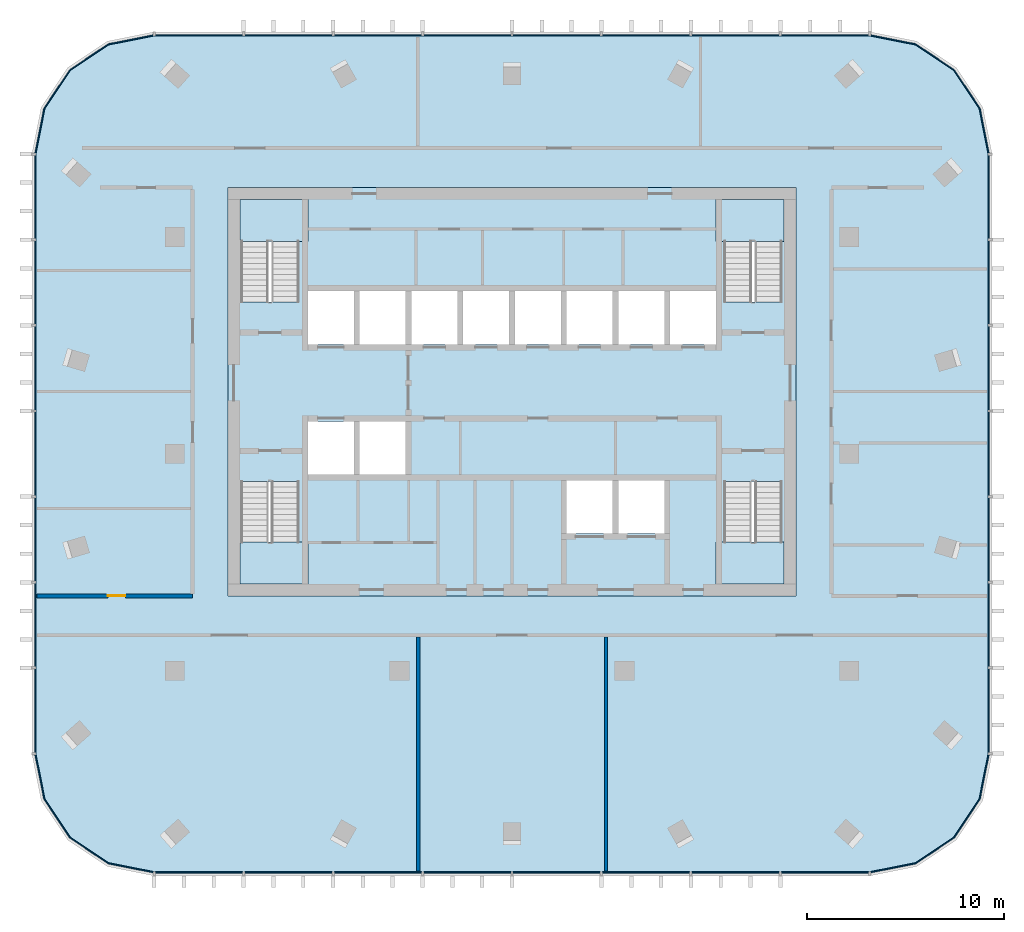
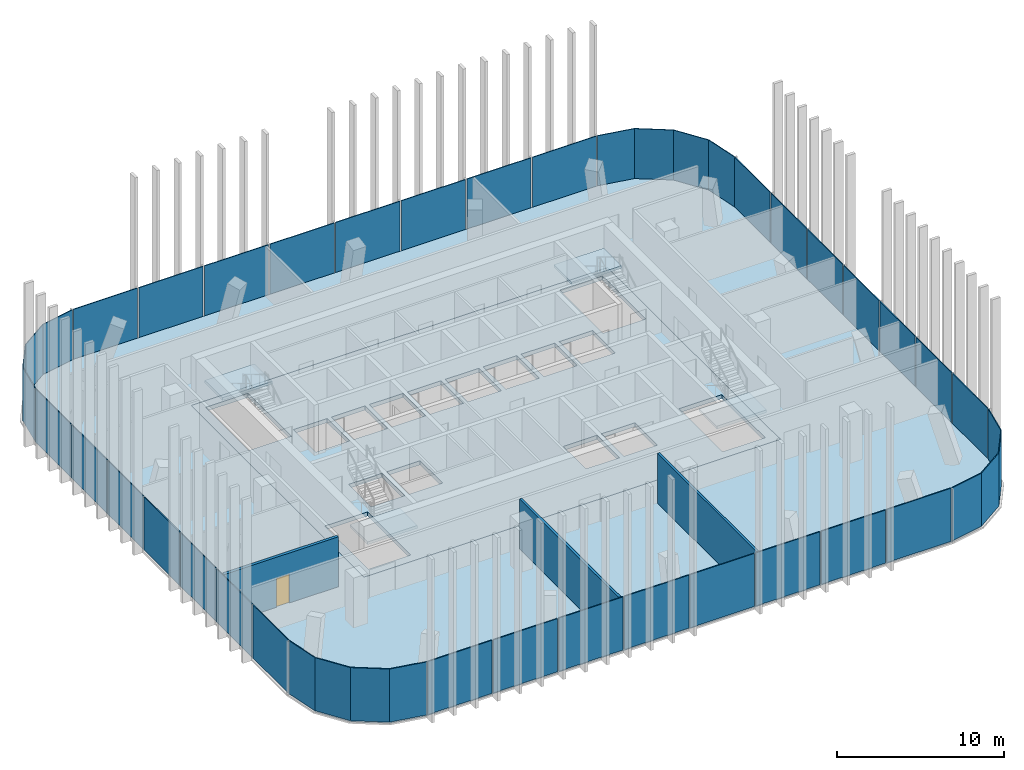
# One storey, part 5 of 13: 34 plates, 6 slabs, 3 walls, 1 door, 1 opening, 12 elements without a shape of their own.
"""IFC4 building model written with IfcOpenShell, lengths in metres."""

from ifc_helpers import new_model, si_unit, direction, frame, frame_2d, origin, origin_2d, place, context, subcontext, project, spatial, polyline, rectangle, outline, extrude, material, layer, layer_set, type_object, element, fill, aggregate, save


model = new_model("IFC4")

# Units and contexts
model_context = context("Model", 3, precision=1e-05, world=origin(), true_north=direction((0.0, 1.0)))
body_context = subcontext(model_context, "Body", "Model", "MODEL_VIEW")
ifc_project = project(units=[si_unit("LENGTHUNIT", "METRE"), si_unit("AREAUNIT", "SQUARE_METRE"), si_unit("VOLUMEUNIT", "CUBIC_METRE"), si_unit("PLANEANGLEUNIT", "RADIAN"), si_unit("MASSUNIT", "GRAM", prefix="KILO")], contexts=[model_context])

# Site, building, storey
site_placement = place(None, origin())
site = spatial("IfcSite", under=ifc_project, at=site_placement, CompositionType="ELEMENT")
building_placement = place(site_placement, origin())
building = spatial("IfcBuilding", under=site, at=building_placement, Name="Mopane Tessera Tower", CompositionType="ELEMENT")
storey_placement = place(building_placement, frame((0.0, 0.0, 345.39990234375)))
storey = spatial("IfcBuildingStorey", under=building, at=storey_placement, Name="L75", CompositionType="ELEMENT", Elevation=345.39990234375)

# Slab
ifc_material_1 = material(Name="Concrete C40/50", Category="concrete")
ifc_layer_1 = layer(ifc_material_1, 0.300048828125)
ifc_layer_set_1 = layer_set([ifc_layer_1], Name="Concrete C40/50")
slab_type_1 = type_object("IfcSlabType", Name="Core floor slab 300 mm", PredefinedType="FLOOR", material=ifc_layer_set_1)
slab_1_placement = place(storey_placement, frame((0.0, 0.0, -0.2998046875)))
element("IfcSlab", 1, at=slab_1_placement, inside=storey, type_object=slab_type_1, Name="L75 core floor slab", PredefinedType="FLOOR", context=body_context, shape_type="SweptSolid", body=[
    extrude(outline(polyline([(-14.39990234375, -7.199951171875), (14.39990234375, -7.199951171875), (14.39990234375, 13.5), (-14.39990234375, 13.5), (-14.39990234375, -7.199951171875)]), holes=[polyline([(-10.35009765625, -1.050048828125), (-8.02490234375, -1.050048828125), (-8.02490234375, 1.64990234375), (-10.35009765625, 1.64990234375), (-10.35009765625, -1.050048828125)]), polyline([(-7.72509765625, -1.050048828125), (-5.39990234375, -1.050048828125), (-5.39990234375, 1.64990234375), (-7.72509765625, 1.64990234375), (-7.72509765625, -1.050048828125)]), polyline([(-10.35009765625, 5.550048828125), (-8.02490234375, 5.550048828125), (-8.02490234375, 8.25), (-10.35009765625, 8.25), (-10.35009765625, 5.550048828125)]), polyline([(-7.72509765625, 5.550048828125), (-5.39990234375, 5.550048828125), (-5.39990234375, 8.25), (-7.72509765625, 8.25), (-7.72509765625, 5.550048828125)]), polyline([(-5.10009765625, 5.550048828125), (-2.77490234375, 5.550048828125), (-2.77490234375, 8.25), (-5.10009765625, 8.25), (-5.10009765625, 5.550048828125)]), polyline([(-2.47509765625, 5.550048828125), (-0.14990234375, 5.550048828125), (-0.14990234375, 8.25), (-2.47509765625, 8.25), (-2.47509765625, 5.550048828125)]), polyline([(0.14990234375, 5.550048828125), (2.47509765625, 5.550048828125), (2.47509765625, 8.25), (0.14990234375, 8.25), (0.14990234375, 5.550048828125)]), polyline([(2.77490234375, 5.550048828125), (5.10009765625, 5.550048828125), (5.10009765625, 8.25), (2.77490234375, 8.25), (2.77490234375, 5.550048828125)]), polyline([(5.39990234375, 5.550048828125), (7.72509765625, 5.550048828125), (7.72509765625, 8.25), (5.39990234375, 8.25), (5.39990234375, 5.550048828125)]), polyline([(8.02490234375, 5.550048828125), (10.35009765625, 5.550048828125), (10.35009765625, 8.25), (8.02490234375, 8.25), (8.02490234375, 5.550048828125)]), polyline([(2.77490234375, -4.050048828125), (5.10009765625, -4.050048828125), (5.10009765625, -1.35009765625), (2.77490234375, -1.35009765625), (2.77490234375, -4.050048828125)]), polyline([(5.39990234375, -4.050048828125), (7.72509765625, -4.050048828125), (7.72509765625, -1.35009765625), (5.39990234375, -1.35009765625), (5.39990234375, -4.050048828125)]), polyline([(-13.75, -1.405029296875), (-13.75, -6.60009765625), (-10.800048828125, -6.60009765625), (-10.800048828125, -1.405029296875), (-13.75, -1.405029296875)]), polyline([(-10.800048828125, 7.705078125), (-10.800048828125, 12.89990234375), (-13.75, 12.89990234375), (-13.75, 7.705078125), (-10.800048828125, 7.705078125)]), polyline([(10.75, -1.405029296875), (10.75, -6.60009765625), (13.699951171875, -6.60009765625), (13.699951171875, -1.405029296875), (10.75, -1.405029296875)]), polyline([(13.699951171875, 7.705078125), (13.699951171875, 12.89990234375), (10.75, 12.89990234375), (10.75, 7.705078125), (13.699951171875, 7.705078125)])]), origin(), (0.0, 0.0, 1.0), 0.2998046875),
])

# Stair, slab
ifc_material_2 = material(Name="Concrete C50/60", Category="concrete")
stair_type = type_object("IfcStairType", Name="Escape stair 1400 mm, riser 167 mm", PredefinedType="HALF_TURN_STAIR", material=ifc_material_2)
stair_1_placement = place(storey_placement, origin())
stair_1 = element("IfcStair", 2, at=stair_1_placement, inside=storey, type_object=stair_type, Name="L75 Escape stair south-west", PredefinedType="HALF_TURN_STAIR")
ifc_material_3 = material(Name="Concrete C50/60", Category="concrete")
ifc_layer_2 = layer(ifc_material_3, 0.199951171875)
ifc_layer_set_2 = layer_set([ifc_layer_2], Name="Concrete C50/60")
slab_type_2 = type_object("IfcSlabType", Name="Escape stair landing 200 mm", PredefinedType="LANDING", material=ifc_layer_set_2)
slab_2_placement = place(storey_placement, frame((0.0, 0.0, 1.800048828125)))
slab_2 = element("IfcSlab", 3, at=slab_2_placement, type_object=slab_type_2, Name="ST1 landing 1", PredefinedType="LANDING", context=body_context, shape_type="SweptSolid", body=[
    extrude(outline(polyline([(-13.800048828125, -4.47998046875), (-13.800048828125, -6.60009765625), (-10.35009765625, -6.60009765625), (-10.35009765625, -4.47998046875), (-13.800048828125, -4.47998046875)])), origin(), (0.0, 0.0, 1.0), 0.199951171875),
])
aggregate(stair_1, [slab_2])

stair_2_placement = place(storey_placement, origin())
stair_2 = element("IfcStair", 4, at=stair_2_placement, inside=storey, type_object=stair_type, Name="L75 Escape stair north-west", PredefinedType="HALF_TURN_STAIR")
slab_3_placement = place(storey_placement, frame((0.0, 0.0, 1.800048828125)))
slab_3 = element("IfcSlab", 5, at=slab_3_placement, type_object=slab_type_2, Name="ST2 landing 1", PredefinedType="LANDING", context=body_context, shape_type="SweptSolid", body=[
    extrude(outline(polyline([(-10.35009765625, 10.780029296875), (-10.35009765625, 12.89990234375), (-13.800048828125, 12.89990234375), (-13.800048828125, 10.780029296875), (-10.35009765625, 10.780029296875)])), origin(), (0.0, 0.0, 1.0), 0.199951171875),
])
aggregate(stair_2, [slab_3])

stair_3_placement = place(storey_placement, origin())
stair_3 = element("IfcStair", 6, at=stair_3_placement, inside=storey, type_object=stair_type, Name="L75 Escape stair south-east", PredefinedType="HALF_TURN_STAIR")
slab_4_placement = place(storey_placement, frame((0.0, 0.0, 1.800048828125)))
slab_4 = element("IfcSlab", 7, at=slab_4_placement, type_object=slab_type_2, Name="ST3 landing 1", PredefinedType="LANDING", context=body_context, shape_type="SweptSolid", body=[
    extrude(outline(polyline([(10.35009765625, -4.47998046875), (10.35009765625, -6.60009765625), (13.800048828125, -6.60009765625), (13.800048828125, -4.47998046875), (10.35009765625, -4.47998046875)])), origin(), (0.0, 0.0, 1.0), 0.199951171875),
])
aggregate(stair_3, [slab_4])

stair_4_placement = place(storey_placement, origin())
stair_4 = element("IfcStair", 8, at=stair_4_placement, inside=storey, type_object=stair_type, Name="L75 Escape stair north-east", PredefinedType="HALF_TURN_STAIR")
slab_5_placement = place(storey_placement, frame((0.0, 0.0, 1.800048828125)))
slab_5 = element("IfcSlab", 9, at=slab_5_placement, type_object=slab_type_2, Name="ST4 landing 1", PredefinedType="LANDING", context=body_context, shape_type="SweptSolid", body=[
    extrude(outline(polyline([(13.800048828125, 10.780029296875), (13.800048828125, 12.89990234375), (10.35009765625, 12.89990234375), (10.35009765625, 10.780029296875), (13.800048828125, 10.780029296875)])), origin(), (0.0, 0.0, 1.0), 0.199951171875),
])
aggregate(stair_4, [slab_5])

# Slab
ifc_material_4 = material(Name="Concrete C40/50", Category="concrete")
ifc_layer_3 = layer(ifc_material_4, 0.35009765625)
ifc_layer_set_3 = layer_set([ifc_layer_3], Name="Concrete C40/50")
slab_type_3 = type_object("IfcSlabType", Name="Post-tensioned flat plate 350 mm", PredefinedType="FLOOR", material=ifc_layer_set_3)
slab_6_placement = place(storey_placement, frame((0.0, 0.0, -0.349853515625)))
element("IfcSlab", 10, at=slab_6_placement, inside=storey, type_object=slab_type_3, Name="Floor slab L75", PredefinedType="FLOOR", context=body_context, shape_type="SweptSolid", body=[
    extrude(outline(polyline([(-18.14990234375, -21.199951171875), (18.14990234375, -21.199951171875), (20.446044921875, -20.7431640625), (22.392578125, -19.442626953125), (23.693359375, -17.49609375), (24.14990234375, -15.199951171875), (24.14990234375, 15.199951171875), (23.693359375, 17.49609375), (22.392578125, 19.442626953125), (20.446044921875, 20.7431640625), (18.14990234375, 21.199951171875), (-18.14990234375, 21.199951171875), (-20.446044921875, 20.7431640625), (-22.392578125, 19.442626953125), (-23.693359375, 17.49609375), (-24.14990234375, 15.199951171875), (-24.14990234375, -15.199951171875), (-23.693359375, -17.49609375), (-22.392578125, -19.442626953125), (-20.446044921875, -20.7431640625), (-18.14990234375, -21.199951171875)]), holes=[polyline([(14.39990234375, -7.199951171875), (-14.39990234375, -7.199951171875), (-14.39990234375, 13.5), (14.39990234375, 13.5), (14.39990234375, -7.199951171875)])]), origin(), (0.0, 0.0, 1.0), 0.349853515625),
])

# Curtain wall, plates
ifc_material_5 = material(Name="Aluminium frame", Category="aluminium")
curtain_wall_type = type_object("IfcCurtainWallType", Name="Unitised curtain wall", PredefinedType="NOTDEFINED", material=ifc_material_5)
curtain_wall_1_placement = place(storey_placement, origin())
curtain_wall_1 = element("IfcCurtainWall", 11, at=curtain_wall_1_placement, inside=storey, type_object=curtain_wall_type, Name="e:cw:L75:S:0", PredefinedType="NOTDEFINED")
ifc_material_6 = material(Name="Clear laminated glass", Category="glass")
ifc_layer_4 = layer(ifc_material_6, 0.06005859375)
ifc_layer_set_4 = layer_set([ifc_layer_4], Name="Clear laminated glass")
plate_type = type_object("IfcPlateType", Name="Unitised glazed unit", PredefinedType="CURTAIN_PANEL", material=ifc_layer_set_4)
plate_1_placement = place(storey_placement, frame((-15.88134765625, -21.22998046875, -0.229736328125), z_axis=(0.0, 0.0, 1.0), x_axis=(1.0, 0.0, 0.0)))
plate_1 = element("IfcPlate", 12, at=plate_1_placement, type_object=plate_type, Name="e:cw:L75:S:0:pn0", PredefinedType="CURTAIN_PANEL", context=body_context, shape_type="SweptSolid", body=[
    extrude(rectangle(XDim=4.4375, YDim=0.06005859375, at=origin_2d()), origin(), (0.0, 0.0, 1.0), 3.8798828125),
])
plate_2_placement = place(storey_placement, frame((-11.34375, -21.22998046875, -0.229736328125), z_axis=(0.0, 0.0, 1.0), x_axis=(1.0, 0.0, 0.0)))
plate_2 = element("IfcPlate", 13, at=plate_2_placement, type_object=plate_type, Name="e:cw:L75:S:0:pn1", PredefinedType="CURTAIN_PANEL", context=body_context, shape_type="SweptSolid", body=[
    extrude(rectangle(XDim=4.4375, YDim=0.06005859375, at=origin_2d()), origin(), (0.0, 0.0, 1.0), 3.8798828125),
])
plate_3_placement = place(storey_placement, frame((-6.80615234375, -21.22998046875, -0.229736328125), z_axis=(0.0, 0.0, 1.0), x_axis=(1.0, 0.0, 0.0)))
plate_3 = element("IfcPlate", 14, at=plate_3_placement, type_object=plate_type, Name="e:cw:L75:S:0:pn2", PredefinedType="CURTAIN_PANEL", context=body_context, shape_type="SweptSolid", body=[
    extrude(rectangle(XDim=4.4375, YDim=0.06005859375, at=origin_2d()), origin(), (0.0, 0.0, 1.0), 3.8798828125),
])
plate_4_placement = place(storey_placement, frame((-2.268798828125, -21.22998046875, -0.229736328125), z_axis=(0.0, 0.0, 1.0), x_axis=(1.0, 0.0, 0.0)))
plate_4 = element("IfcPlate", 15, at=plate_4_placement, type_object=plate_type, Name="e:cw:L75:S:0:pn3", PredefinedType="CURTAIN_PANEL", context=body_context, shape_type="SweptSolid", body=[
    extrude(rectangle(XDim=4.4375, YDim=0.06005859375, at=origin_2d()), origin(), (0.0, 0.0, 1.0), 3.8798828125),
])
plate_5_placement = place(storey_placement, frame((2.268798828125, -21.22998046875, -0.229736328125), z_axis=(0.0, 0.0, 1.0), x_axis=(1.0, 0.0, 0.0)))
plate_5 = element("IfcPlate", 16, at=plate_5_placement, type_object=plate_type, Name="e:cw:L75:S:0:pn4", PredefinedType="CURTAIN_PANEL", context=body_context, shape_type="SweptSolid", body=[
    extrude(rectangle(XDim=4.4375, YDim=0.06005859375, at=origin_2d()), origin(), (0.0, 0.0, 1.0), 3.8798828125),
])
plate_6_placement = place(storey_placement, frame((6.80615234375, -21.22998046875, -0.229736328125), z_axis=(0.0, 0.0, 1.0), x_axis=(1.0, 0.0, 0.0)))
plate_6 = element("IfcPlate", 17, at=plate_6_placement, type_object=plate_type, Name="e:cw:L75:S:0:pn5", PredefinedType="CURTAIN_PANEL", context=body_context, shape_type="SweptSolid", body=[
    extrude(rectangle(XDim=4.4375, YDim=0.06005859375, at=origin_2d()), origin(), (0.0, 0.0, 1.0), 3.8798828125),
])
plate_7_placement = place(storey_placement, frame((11.34375, -21.22998046875, -0.229736328125), z_axis=(0.0, 0.0, 1.0), x_axis=(1.0, 0.0, 0.0)))
plate_7 = element("IfcPlate", 18, at=plate_7_placement, type_object=plate_type, Name="e:cw:L75:S:0:pn6", PredefinedType="CURTAIN_PANEL", context=body_context, shape_type="SweptSolid", body=[
    extrude(rectangle(XDim=4.4375, YDim=0.06005859375, at=origin_2d()), origin(), (0.0, 0.0, 1.0), 3.8798828125),
])
plate_8_placement = place(storey_placement, frame((15.88134765625, -21.22998046875, -0.229736328125), z_axis=(0.0, 0.0, 1.0), x_axis=(1.0, 0.0, 0.0)))
plate_8 = element("IfcPlate", 19, at=plate_8_placement, type_object=plate_type, Name="e:cw:L75:S:0:pn7", PredefinedType="CURTAIN_PANEL", context=body_context, shape_type="SweptSolid", body=[
    extrude(rectangle(XDim=4.4375, YDim=0.06005859375, at=origin_2d()), origin(), (0.0, 0.0, 1.0), 3.8798828125),
])
aggregate(curtain_wall_1, [plate_1, plate_2, plate_3, plate_4, plate_5, plate_6, plate_7, plate_8])

# Curtain wall, plate
curtain_wall_2_placement = place(storey_placement, origin())
curtain_wall_2 = element("IfcCurtainWall", 20, at=curtain_wall_2_placement, inside=storey, type_object=curtain_wall_type, Name="e:cw:L75:CS", PredefinedType="NOTDEFINED")
plate_9_placement = place(storey_placement, frame((0.0, 0.0, -0.22998046875)))
plate_9 = element("IfcPlate", 21, at=plate_9_placement, type_object=plate_type, Name="e:cw:L75:CS:pn", PredefinedType="CURTAIN_PANEL", context=body_context, shape_type="SweptSolid", body=[
    extrude(outline(polyline([(18.14990234375, -21.199951171875), (20.446044921875, -20.7431640625), (22.392578125, -19.442626953125), (23.693359375, -17.49609375), (24.14990234375, -15.199951171875), (24.2099609375, -15.199951171875), (23.748779296875, -17.51904296875), (22.43505859375, -19.485107421875), (20.468994140625, -20.798828125), (18.14990234375, -21.260009765625), (18.14990234375, -21.199951171875)])), origin(), (0.0, 0.0, 1.0), 3.880126953125),
])
aggregate(curtain_wall_2, [plate_9])

# Curtain wall, plates
curtain_wall_3_placement = place(storey_placement, origin())
curtain_wall_3 = element("IfcCurtainWall", 22, at=curtain_wall_3_placement, inside=storey, type_object=curtain_wall_type, Name="e:cw:L75:E:0", PredefinedType="NOTDEFINED")
plate_10_placement = place(storey_placement, frame((24.179931640625, -13.028564453125, -0.229736328125), z_axis=(0.0, 0.0, 1.0), x_axis=(0.0, 1.0, 0.0)))
plate_10 = element("IfcPlate", 23, at=plate_10_placement, type_object=plate_type, Name="e:cw:L75:E:0:pn0", PredefinedType="CURTAIN_PANEL", context=body_context, shape_type="SweptSolid", body=[
    extrude(rectangle(XDim=4.242919921875, YDim=0.06005859375, at=origin_2d()), origin(), (0.0, 0.0, 1.0), 3.8798828125),
])
plate_11_placement = place(storey_placement, frame((24.179931640625, -8.685791015625, -0.229736328125), z_axis=(0.0, 0.0, 1.0), x_axis=(0.0, 1.0, 0.0)))
plate_11 = element("IfcPlate", 24, at=plate_11_placement, type_object=plate_type, Name="e:cw:L75:E:0:pn1", PredefinedType="CURTAIN_PANEL", context=body_context, shape_type="SweptSolid", body=[
    extrude(rectangle(XDim=4.242919921875, YDim=0.06005859375, at=origin_2d()), origin(), (0.0, 0.0, 1.0), 3.8798828125),
])
plate_12_placement = place(storey_placement, frame((24.179931640625, -4.3427734375, -0.229736328125), z_axis=(0.0, 0.0, 1.0), x_axis=(0.0, 1.0, 0.0)))
plate_12 = element("IfcPlate", 25, at=plate_12_placement, type_object=plate_type, Name="e:cw:L75:E:0:pn2", PredefinedType="CURTAIN_PANEL", context=body_context, shape_type="SweptSolid", body=[
    extrude(rectangle(XDim=4.242919921875, YDim=0.06005859375, at=origin_2d()), origin(), (0.0, 0.0, 1.0), 3.8798828125),
])
plate_13_placement = place(storey_placement, frame((24.179931640625, 0.0, -0.229736328125), z_axis=(0.0, 0.0, 1.0), x_axis=(0.0, 1.0, 0.0)))
plate_13 = element("IfcPlate", 26, at=plate_13_placement, type_object=plate_type, Name="e:cw:L75:E:0:pn3", PredefinedType="CURTAIN_PANEL", context=body_context, shape_type="SweptSolid", body=[
    extrude(rectangle(XDim=4.242919921875, YDim=0.06005859375, at=origin_2d()), origin(), (0.0, 0.0, 1.0), 3.8798828125),
])
plate_14_placement = place(storey_placement, frame((24.179931640625, 4.3427734375, -0.229736328125), z_axis=(0.0, 0.0, 1.0), x_axis=(0.0, 1.0, 0.0)))
plate_14 = element("IfcPlate", 27, at=plate_14_placement, type_object=plate_type, Name="e:cw:L75:E:0:pn4", PredefinedType="CURTAIN_PANEL", context=body_context, shape_type="SweptSolid", body=[
    extrude(rectangle(XDim=4.242919921875, YDim=0.06005859375, at=origin_2d()), origin(), (0.0, 0.0, 1.0), 3.8798828125),
])
plate_15_placement = place(storey_placement, frame((24.179931640625, 8.685791015625, -0.229736328125), z_axis=(0.0, 0.0, 1.0), x_axis=(0.0, 1.0, 0.0)))
plate_15 = element("IfcPlate", 28, at=plate_15_placement, type_object=plate_type, Name="e:cw:L75:E:0:pn5", PredefinedType="CURTAIN_PANEL", context=body_context, shape_type="SweptSolid", body=[
    extrude(rectangle(XDim=4.242919921875, YDim=0.06005859375, at=origin_2d()), origin(), (0.0, 0.0, 1.0), 3.8798828125),
])
plate_16_placement = place(storey_placement, frame((24.179931640625, 13.028564453125, -0.229736328125), z_axis=(0.0, 0.0, 1.0), x_axis=(0.0, 1.0, 0.0)))
plate_16 = element("IfcPlate", 29, at=plate_16_placement, type_object=plate_type, Name="e:cw:L75:E:0:pn6", PredefinedType="CURTAIN_PANEL", context=body_context, shape_type="SweptSolid", body=[
    extrude(rectangle(XDim=4.242919921875, YDim=0.06005859375, at=origin_2d()), origin(), (0.0, 0.0, 1.0), 3.8798828125),
])
aggregate(curtain_wall_3, [plate_10, plate_11, plate_12, plate_13, plate_14, plate_15, plate_16])

# Curtain wall, plate
curtain_wall_4_placement = place(storey_placement, origin())
curtain_wall_4 = element("IfcCurtainWall", 30, at=curtain_wall_4_placement, inside=storey, type_object=curtain_wall_type, Name="e:cw:L75:CE", PredefinedType="NOTDEFINED")
plate_17_placement = place(storey_placement, frame((0.0, 0.0, -0.22998046875)))
plate_17 = element("IfcPlate", 31, at=plate_17_placement, type_object=plate_type, Name="e:cw:L75:CE:pn", PredefinedType="CURTAIN_PANEL", context=body_context, shape_type="SweptSolid", body=[
    extrude(outline(polyline([(24.14990234375, 15.199951171875), (23.693359375, 17.49609375), (22.392578125, 19.442626953125), (20.446044921875, 20.7431640625), (18.14990234375, 21.199951171875), (18.14990234375, 21.260009765625), (20.468994140625, 20.798828125), (22.43505859375, 19.485107421875), (23.748779296875, 17.51904296875), (24.2099609375, 15.199951171875), (24.14990234375, 15.199951171875)])), origin(), (0.0, 0.0, 1.0), 3.880126953125),
])
aggregate(curtain_wall_4, [plate_17])

# Curtain wall, plates
curtain_wall_5_placement = place(storey_placement, origin())
curtain_wall_5 = element("IfcCurtainWall", 32, at=curtain_wall_5_placement, inside=storey, type_object=curtain_wall_type, Name="e:cw:L75:N:0", PredefinedType="NOTDEFINED")
plate_18_placement = place(storey_placement, frame((15.88134765625, 21.22998046875, -0.229736328125), z_axis=(0.0, 0.0, 1.0), x_axis=(-1.0, 0.0, 0.0)))
plate_18 = element("IfcPlate", 33, at=plate_18_placement, type_object=plate_type, Name="e:cw:L75:N:0:pn0", PredefinedType="CURTAIN_PANEL", context=body_context, shape_type="SweptSolid", body=[
    extrude(rectangle(XDim=4.4375, YDim=0.06005859375, at=origin_2d()), origin(), (0.0, 0.0, 1.0), 3.8798828125),
])
plate_19_placement = place(storey_placement, frame((11.34375, 21.22998046875, -0.229736328125), z_axis=(0.0, 0.0, 1.0), x_axis=(-1.0, 0.0, 0.0)))
plate_19 = element("IfcPlate", 34, at=plate_19_placement, type_object=plate_type, Name="e:cw:L75:N:0:pn1", PredefinedType="CURTAIN_PANEL", context=body_context, shape_type="SweptSolid", body=[
    extrude(rectangle(XDim=4.4375, YDim=0.06005859375, at=origin_2d()), origin(), (0.0, 0.0, 1.0), 3.8798828125),
])
plate_20_placement = place(storey_placement, frame((6.80615234375, 21.22998046875, -0.229736328125), z_axis=(0.0, 0.0, 1.0), x_axis=(-1.0, 0.0, 0.0)))
plate_20 = element("IfcPlate", 35, at=plate_20_placement, type_object=plate_type, Name="e:cw:L75:N:0:pn2", PredefinedType="CURTAIN_PANEL", context=body_context, shape_type="SweptSolid", body=[
    extrude(rectangle(XDim=4.4375, YDim=0.06005859375, at=origin_2d()), origin(), (0.0, 0.0, 1.0), 3.8798828125),
])
plate_21_placement = place(storey_placement, frame((2.268798828125, 21.22998046875, -0.229736328125), z_axis=(0.0, 0.0, 1.0), x_axis=(-1.0, 0.0, 0.0)))
plate_21 = element("IfcPlate", 36, at=plate_21_placement, type_object=plate_type, Name="e:cw:L75:N:0:pn3", PredefinedType="CURTAIN_PANEL", context=body_context, shape_type="SweptSolid", body=[
    extrude(rectangle(XDim=4.4375, YDim=0.06005859375, at=origin_2d()), origin(), (0.0, 0.0, 1.0), 3.8798828125),
])
plate_22_placement = place(storey_placement, frame((-2.268798828125, 21.22998046875, -0.229736328125), z_axis=(0.0, 0.0, 1.0), x_axis=(-1.0, 0.0, 0.0)))
plate_22 = element("IfcPlate", 37, at=plate_22_placement, type_object=plate_type, Name="e:cw:L75:N:0:pn4", PredefinedType="CURTAIN_PANEL", context=body_context, shape_type="SweptSolid", body=[
    extrude(rectangle(XDim=4.4375, YDim=0.06005859375, at=origin_2d()), origin(), (0.0, 0.0, 1.0), 3.8798828125),
])
plate_23_placement = place(storey_placement, frame((-6.80615234375, 21.22998046875, -0.229736328125), z_axis=(0.0, 0.0, 1.0), x_axis=(-1.0, 0.0, 0.0)))
plate_23 = element("IfcPlate", 38, at=plate_23_placement, type_object=plate_type, Name="e:cw:L75:N:0:pn5", PredefinedType="CURTAIN_PANEL", context=body_context, shape_type="SweptSolid", body=[
    extrude(rectangle(XDim=4.4375, YDim=0.06005859375, at=origin_2d()), origin(), (0.0, 0.0, 1.0), 3.8798828125),
])
plate_24_placement = place(storey_placement, frame((-11.34375, 21.22998046875, -0.229736328125), z_axis=(0.0, 0.0, 1.0), x_axis=(-1.0, 0.0, 0.0)))
plate_24 = element("IfcPlate", 39, at=plate_24_placement, type_object=plate_type, Name="e:cw:L75:N:0:pn6", PredefinedType="CURTAIN_PANEL", context=body_context, shape_type="SweptSolid", body=[
    extrude(rectangle(XDim=4.4375, YDim=0.06005859375, at=origin_2d()), origin(), (0.0, 0.0, 1.0), 3.8798828125),
])
plate_25_placement = place(storey_placement, frame((-15.88134765625, 21.22998046875, -0.229736328125), z_axis=(0.0, 0.0, 1.0), x_axis=(-1.0, 0.0, 0.0)))
plate_25 = element("IfcPlate", 40, at=plate_25_placement, type_object=plate_type, Name="e:cw:L75:N:0:pn7", PredefinedType="CURTAIN_PANEL", context=body_context, shape_type="SweptSolid", body=[
    extrude(rectangle(XDim=4.4375, YDim=0.06005859375, at=origin_2d()), origin(), (0.0, 0.0, 1.0), 3.8798828125),
])
aggregate(curtain_wall_5, [plate_18, plate_19, plate_20, plate_21, plate_22, plate_23, plate_24, plate_25])

# Curtain wall, plate
curtain_wall_6_placement = place(storey_placement, origin())
curtain_wall_6 = element("IfcCurtainWall", 41, at=curtain_wall_6_placement, inside=storey, type_object=curtain_wall_type, Name="e:cw:L75:CN", PredefinedType="NOTDEFINED")
plate_26_placement = place(storey_placement, frame((0.0, 0.0, -0.22998046875)))
plate_26 = element("IfcPlate", 42, at=plate_26_placement, type_object=plate_type, Name="e:cw:L75:CN:pn", PredefinedType="CURTAIN_PANEL", context=body_context, shape_type="SweptSolid", body=[
    extrude(outline(polyline([(-18.14990234375, 21.199951171875), (-20.446044921875, 20.7431640625), (-22.392578125, 19.442626953125), (-23.693359375, 17.49609375), (-24.14990234375, 15.199951171875), (-24.2099609375, 15.199951171875), (-23.748779296875, 17.51904296875), (-22.43505859375, 19.485107421875), (-20.468994140625, 20.798828125), (-18.14990234375, 21.260009765625), (-18.14990234375, 21.199951171875)])), origin(), (0.0, 0.0, 1.0), 3.880126953125),
])
aggregate(curtain_wall_6, [plate_26])

# Curtain wall, plates
curtain_wall_7_placement = place(storey_placement, origin())
curtain_wall_7 = element("IfcCurtainWall", 43, at=curtain_wall_7_placement, inside=storey, type_object=curtain_wall_type, Name="e:cw:L75:W:0", PredefinedType="NOTDEFINED")
plate_27_placement = place(storey_placement, frame((-24.179931640625, 13.028564453125, -0.229736328125), z_axis=(0.0, 0.0, 1.0), x_axis=(0.0, -1.0, 0.0)))
plate_27 = element("IfcPlate", 44, at=plate_27_placement, type_object=plate_type, Name="e:cw:L75:W:0:pn0", PredefinedType="CURTAIN_PANEL", context=body_context, shape_type="SweptSolid", body=[
    extrude(rectangle(XDim=4.242919921875, YDim=0.06005859375, at=origin_2d()), origin(), (0.0, 0.0, 1.0), 3.8798828125),
])
plate_28_placement = place(storey_placement, frame((-24.179931640625, 8.685791015625, -0.229736328125), z_axis=(0.0, 0.0, 1.0), x_axis=(0.0, -1.0, 0.0)))
plate_28 = element("IfcPlate", 45, at=plate_28_placement, type_object=plate_type, Name="e:cw:L75:W:0:pn1", PredefinedType="CURTAIN_PANEL", context=body_context, shape_type="SweptSolid", body=[
    extrude(rectangle(XDim=4.242919921875, YDim=0.06005859375, at=origin_2d()), origin(), (0.0, 0.0, 1.0), 3.8798828125),
])
plate_29_placement = place(storey_placement, frame((-24.179931640625, 4.3427734375, -0.229736328125), z_axis=(0.0, 0.0, 1.0), x_axis=(0.0, -1.0, 0.0)))
plate_29 = element("IfcPlate", 46, at=plate_29_placement, type_object=plate_type, Name="e:cw:L75:W:0:pn2", PredefinedType="CURTAIN_PANEL", context=body_context, shape_type="SweptSolid", body=[
    extrude(rectangle(XDim=4.242919921875, YDim=0.06005859375, at=origin_2d()), origin(), (0.0, 0.0, 1.0), 3.8798828125),
])
plate_30_placement = place(storey_placement, frame((-24.179931640625, 0.0, -0.229736328125), z_axis=(0.0, 0.0, 1.0), x_axis=(0.0, -1.0, 0.0)))
plate_30 = element("IfcPlate", 47, at=plate_30_placement, type_object=plate_type, Name="e:cw:L75:W:0:pn3", PredefinedType="CURTAIN_PANEL", context=body_context, shape_type="SweptSolid", body=[
    extrude(rectangle(XDim=4.242919921875, YDim=0.06005859375, at=origin_2d()), origin(), (0.0, 0.0, 1.0), 3.8798828125),
])
plate_31_placement = place(storey_placement, frame((-24.179931640625, -4.3427734375, -0.229736328125), z_axis=(0.0, 0.0, 1.0), x_axis=(0.0, -1.0, 0.0)))
plate_31 = element("IfcPlate", 48, at=plate_31_placement, type_object=plate_type, Name="e:cw:L75:W:0:pn4", PredefinedType="CURTAIN_PANEL", context=body_context, shape_type="SweptSolid", body=[
    extrude(rectangle(XDim=4.242919921875, YDim=0.06005859375, at=origin_2d()), origin(), (0.0, 0.0, 1.0), 3.8798828125),
])
plate_32_placement = place(storey_placement, frame((-24.179931640625, -8.685791015625, -0.229736328125), z_axis=(0.0, 0.0, 1.0), x_axis=(0.0, -1.0, 0.0)))
plate_32 = element("IfcPlate", 49, at=plate_32_placement, type_object=plate_type, Name="e:cw:L75:W:0:pn5", PredefinedType="CURTAIN_PANEL", context=body_context, shape_type="SweptSolid", body=[
    extrude(rectangle(XDim=4.242919921875, YDim=0.06005859375, at=origin_2d()), origin(), (0.0, 0.0, 1.0), 3.8798828125),
])
plate_33_placement = place(storey_placement, frame((-24.179931640625, -13.028564453125, -0.229736328125), z_axis=(0.0, 0.0, 1.0), x_axis=(0.0, -1.0, 0.0)))
plate_33 = element("IfcPlate", 50, at=plate_33_placement, type_object=plate_type, Name="e:cw:L75:W:0:pn6", PredefinedType="CURTAIN_PANEL", context=body_context, shape_type="SweptSolid", body=[
    extrude(rectangle(XDim=4.242919921875, YDim=0.06005859375, at=origin_2d()), origin(), (0.0, 0.0, 1.0), 3.8798828125),
])
aggregate(curtain_wall_7, [plate_27, plate_28, plate_29, plate_30, plate_31, plate_32, plate_33])

# Curtain wall, plate
curtain_wall_8_placement = place(storey_placement, origin())
curtain_wall_8 = element("IfcCurtainWall", 51, at=curtain_wall_8_placement, inside=storey, type_object=curtain_wall_type, Name="e:cw:L75:CW", PredefinedType="NOTDEFINED")
plate_34_placement = place(storey_placement, frame((0.0, 0.0, -0.22998046875)))
plate_34 = element("IfcPlate", 52, at=plate_34_placement, type_object=plate_type, Name="e:cw:L75:CW:pn", PredefinedType="CURTAIN_PANEL", context=body_context, shape_type="SweptSolid", body=[
    extrude(outline(polyline([(-24.14990234375, -15.199951171875), (-23.693359375, -17.49609375), (-22.392578125, -19.442626953125), (-20.446044921875, -20.7431640625), (-18.14990234375, -21.199951171875), (-18.14990234375, -21.260009765625), (-20.468994140625, -20.798828125), (-22.43505859375, -19.485107421875), (-23.748779296875, -17.51904296875), (-24.2099609375, -15.199951171875), (-24.14990234375, -15.199951171875)])), origin(), (0.0, 0.0, 1.0), 3.880126953125),
])
aggregate(curtain_wall_8, [plate_34])

# Wall
ifc_material_7 = material(Name="Gypsum board on staggered steel studs, double layer each face, acoustic mineral wool infill", Category="steel")
ifc_layer_5 = layer(ifc_material_7, 0.175048828125)
ifc_layer_set_5 = layer_set([ifc_layer_5], Name="Gypsum board on staggered steel studs, double layer each face, acoustic mineral wool infill")
wall_type_1 = type_object("IfcWallType", Name="Gypsum board acoustic partition 175, rated EI 60", PredefinedType="PARTITIONING", material=ifc_layer_set_5)
wall_1_placement = place(storey_placement, frame((-4.764892578125, -21.14990234375, 0.0), z_axis=(0.0, 0.0, 1.0), x_axis=(0.0, 1.0, 0.0)))
element("IfcWall", 53, at=wall_1_placement, inside=storey, type_object=wall_type_1, Name="Partition L75:017", PredefinedType="PARTITIONING", context=body_context, shape_type="SweptSolid", body=[
    extrude(rectangle(XDim=11.849853515625, YDim=0.175048828125, at=frame_2d((5.9248046875, 0.0))), origin(), (0.0, 0.0, 1.0), 3.650146484375),
])

# Wall, opening, door
ifc_material_8 = material(Name="Gypsum board on steel studs, two layers each face, mineral wool infill", Category="steel")
ifc_layer_6 = layer(ifc_material_8, 0.199951171875)
ifc_layer_set_6 = layer_set([ifc_layer_6], Name="Gypsum board on steel studs, two layers each face, mineral wool infill")
wall_type_2 = type_object("IfcWallType", Name="Gypsum board corridor wall 200, rated EI 60", PredefinedType="PARTITIONING", material=ifc_layer_set_6)
wall_2_placement = place(storey_placement, frame((-24.10009765625, -7.199951171875, 0.0), z_axis=(0.0, 0.0, 1.0), x_axis=(1.0, 0.0, 0.0)))
wall_2 = element("IfcWall", 54, at=wall_2_placement, inside=storey, type_object=wall_type_2, Name="Partition L75:001", PredefinedType="PARTITIONING", context=body_context, shape_type="SweptSolid", body=[
    extrude(rectangle(XDim=7.900146484375, YDim=0.199951171875, at=frame_2d((3.9501953125, 0.0))), origin(), (0.0, 0.0, 1.0), 3.650146484375),
])
opening_placement = place(wall_2_placement, frame((3.60009765625, 0.0, 0.0)))
opening = element("IfcOpeningElement", 55, at=opening_placement, cuts=wall_2, Name="Opening L75-04", PredefinedType="OPENING", context=body_context, shape_type="SweptSolid", body=[
    extrude(rectangle(XDim=0.89990234375, YDim=2.10009765625, at=frame_2d((0.449951171875, 1.050048828125))), frame((0.0, 0.112060546875, 0.0), z_axis=(0.0, -1.0, 0.0), x_axis=(1.0, 0.0, 0.0)), (0.0, 0.0, 1.0), 0.223876953125),
])
ifc_material_9 = material(Name="Timber veneered steel-framed fire door", Category="steel")
door_type = type_object("IfcDoorType", Name="Fire door FD60 900 x 2100", OperationType="SINGLE_SWING_LEFT", PredefinedType="DOOR", material=ifc_material_9)
door_placement = place(opening_placement, origin())
door = element("IfcDoor", 56, at=door_placement, inside=storey, type_object=door_type, Name="Door L75-04", ObjectType="D10A", OperationType="SINGLE_SWING_LEFT", OverallHeight=2.10009765625, OverallWidth=0.89990234375, PredefinedType="DOOR", context=body_context, shape_type="SweptSolid", body=[
    extrude(rectangle(XDim=0.89990234375, YDim=2.10009765625, at=frame_2d((0.449951171875, 1.050048828125))), frame((0.0, 0.02490234375, 0.0), z_axis=(0.0, -1.0, 0.0), x_axis=(1.0, 0.0, 0.0)), (0.0, 0.0, 1.0), 0.050048828125),
])
fill(opening, door)

# Wall
ifc_material_10 = material(Name="Gypsum board on steel studs, mineral wool infill", Category="steel")
ifc_layer_7 = layer(ifc_material_10, 0.14990234375)
ifc_layer_set_7 = layer_set([ifc_layer_7], Name="Gypsum board on steel studs, mineral wool infill")
wall_type_3 = type_object("IfcWallType", Name="Gypsum board partition 150, rated EI 60", PredefinedType="PARTITIONING", material=ifc_layer_set_7)
wall_3_placement = place(storey_placement, frame((4.764892578125, -21.14990234375, 0.0), z_axis=(0.0, 0.0, 1.0), x_axis=(0.0, 1.0, 0.0)))
element("IfcWall", 57, at=wall_3_placement, inside=storey, type_object=wall_type_3, Name="Partition L75:018", PredefinedType="PARTITIONING", context=body_context, shape_type="SweptSolid", body=[
    extrude(rectangle(XDim=11.849853515625, YDim=0.14990234375, at=frame_2d((5.9248046875, 0.0))), origin(), (0.0, 0.0, 1.0), 3.650146484375),
])

save(model, "model.ifc")
